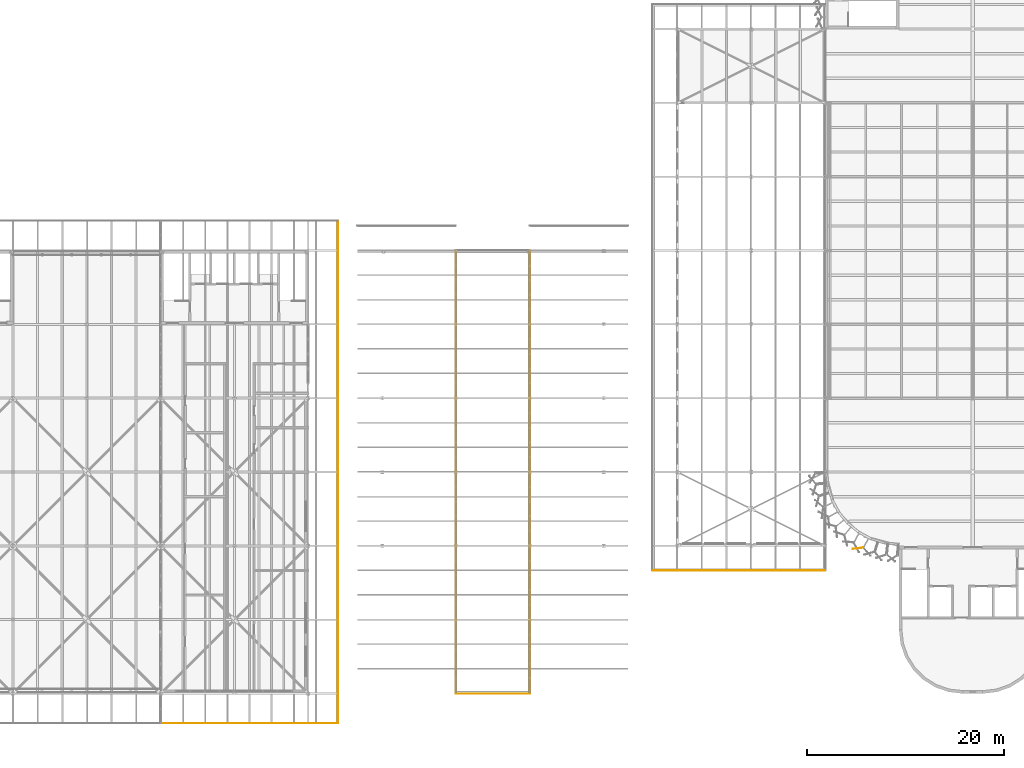
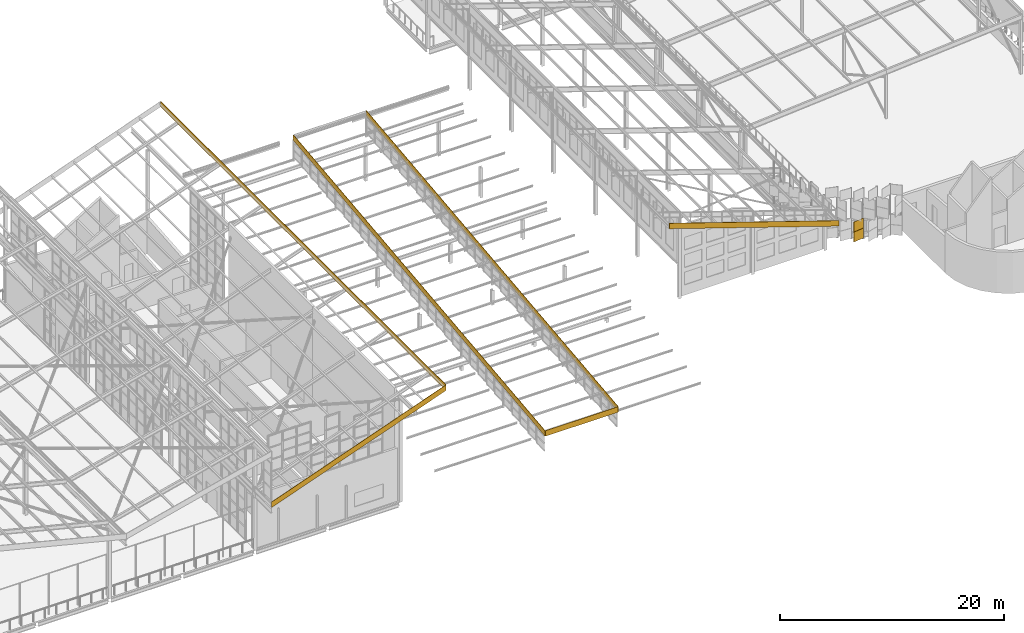
# One storey, part 465 of 483: 8 coverings.
"""IFC4 building model written with IfcOpenShell, lengths in metres."""

from ifc_helpers import new_model, si_unit, direction, frame, origin, origin_2d, place, context, subcontext, project, spatial, polyline, rectangle, outline, extrude, material, layer, layer_set, type_object, element, save


model = new_model("IFC4")

# Units and contexts
model_context = context("Model", 3, precision=1e-05, world=origin(), true_north=direction((0.0, 1.0)))
body_context = subcontext(model_context, "Body", "Model", "MODEL_VIEW")
ifc_project = project(units=[si_unit("LENGTHUNIT", "METRE"), si_unit("AREAUNIT", "SQUARE_METRE"), si_unit("VOLUMEUNIT", "CUBIC_METRE"), si_unit("PLANEANGLEUNIT", "RADIAN"), si_unit("MASSUNIT", "GRAM", prefix="KILO")], contexts=[model_context])

# Site, building, storey
site_placement = place(None, origin())
site = spatial("IfcSite", under=ifc_project, at=site_placement, CompositionType="ELEMENT")
building_placement = place(site_placement, origin())
building = spatial("IfcBuilding", under=site, at=building_placement, Name="Parallax Yard Mobility Hub", CompositionType="ELEMENT")
storey_placement = place(building_placement, frame((0.0, 0.0, 13.199951171875)))
storey = spatial("IfcBuildingStorey", under=building, at=storey_placement, Name="L04", CompositionType="ELEMENT", Elevation=13.199951171875)

# Coverings
ifc_material_1 = material(Name="Aluminium composite fascia panel", Category="aluminium")
ifc_layer_1 = layer(ifc_material_1, 0.0400390625)
ifc_layer_set_1 = layer_set([ifc_layer_1], Name="Roof fascia 600")
covering_type_1 = type_object("IfcCoveringType", Name="Roof fascia 600", PredefinedType="CLADDING", material=ifc_layer_set_1)
covering_1_placement = place(storey_placement, frame((127.5, 4.5, 7.013916015625), z_axis=(0.0, 1.0, 0.0), x_axis=(0.940887737235, 0.0, 0.338718564476)))
element("IfcCovering", 1, at=covering_1_placement, inside=storey, type_object=covering_type_1, Name="Fascia on roof edge V3-P-PL edge 1", PredefinedType="CLADDING", context=body_context, shape_type="SweptSolid", body=[
    extrude(outline(polyline([(0.0, 0.0), (19.13086895243866, 8.881784197001252e-16), (18.927604735768202, 0.5646245259091112), (-0.20326421667045916, 0.5646245259091105), (0.0, 0.0)])), origin(), (0.0, 0.0, -1.0), 0.0400390625),
])
covering_2_placement = place(storey_placement, frame((145.5, 4.5, 13.493896484375), z_axis=(-1.0, 0.0, 0.0), x_axis=(0.0, 1.0, 0.0)))
element("IfcCovering", 2, at=covering_2_placement, inside=storey, type_object=covering_type_1, Name="Fascia on roof edge V3-P-PL edge 2", PredefinedType="CLADDING", context=body_context, shape_type="SweptSolid", body=[
    extrude(outline(polyline([(0.0, 0.0), (51.0, 0.0), (51.0, 0.60009765625), (0.0, 0.60009765625), (0.0, 0.0)])), origin(), (0.0, 0.0, -1.0), 0.0400390625),
])
covering_3_placement = place(storey_placement, frame((157.5, 7.5, 2.476318359375), z_axis=(0.0, 1.0, 0.0), x_axis=(1.0, 0.0, 0.0)))
element("IfcCovering", 3, at=covering_3_placement, inside=storey, type_object=covering_type_1, Name="Fascia on roof edge V5-M-PL edge 1", PredefinedType="CLADDING", context=body_context, shape_type="SweptSolid", body=[
    extrude(outline(polyline([(0.0, 0.0), (7.5, 0.0), (7.5, 0.599853515625), (0.0, 0.599853515625), (0.0, 0.0)])), origin(), (0.0, 0.0, -1.0), 0.0400390625),
])
covering_4_placement = place(storey_placement, frame((165.0, 7.5, 2.476318359375), z_axis=(-1.0, 0.0, 0.0), x_axis=(0.0, 0.993883734674, 0.110431526075)))
element("IfcCovering", 4, at=covering_4_placement, inside=storey, type_object=covering_type_1, Name="Fascia on roof edge V5-M-PL edge 2", PredefinedType="CLADDING", context=body_context, shape_type="SweptSolid", body=[
    extrude(outline(polyline([(0.0, 0.0), (45.27692569068708, 0.0), (45.21068295153525, 0.5961846523664756), (-0.06624273915183056, 0.596184652366475), (0.0, 0.0)])), origin(), (0.0, 0.0, -1.0), 0.0400390625),
])
covering_5_placement = place(storey_placement, frame((157.5, 52.5, 7.476318359375), z_axis=(1.0, 0.0, 0.0), x_axis=(0.0, -0.993883734674, -0.110431526075)))
element("IfcCovering", 5, at=covering_5_placement, inside=storey, type_object=covering_type_1, Name="Fascia on roof edge V5-M-PL edge 4", PredefinedType="CLADDING", context=body_context, shape_type="SweptSolid", body=[
    extrude(outline(polyline([(0.0, 0.0), (45.27692569068708, 0.0), (45.34316842983891, 0.5961846523664747), (0.06624273915183056, 0.596184652366475), (0.0, 0.0)])), origin(), (0.0, 0.0, -1.0), 0.0400390625),
])
covering_6_placement = place(storey_placement, frame((177.5, 20.0, 10.53564453125), z_axis=(0.0, 1.0, 0.0), x_axis=(0.948684621542, 0.0, -0.316223795515)))
element("IfcCovering", 6, at=covering_6_placement, inside=storey, type_object=covering_type_1, Name="Fascia on roof edge V2-PL edge 1", PredefinedType="CLADDING", context=body_context, shape_type="SweptSolid", body=[
    extrude(outline(polyline([(0.0, 0.0), (18.446593949795627, 0.0), (18.63635910833455, 0.5693034179077463), (0.1897651585389199, 0.5693034179077461), (0.0, 0.0)])), origin(), (0.0, 0.0, -1.0), 0.0400390625),
])
ifc_material_2 = material(Name="Aluminium panel, silver anodised", Category="aluminium")
ifc_layer_2 = layer(ifc_material_2, 0.030029296875)
ifc_layer_set_2 = layer_set([ifc_layer_2], Name="Skin panel 35 degree turn, silver anodised")
covering_type_2 = type_object("IfcCoveringType", Name="Skin panel 35 degree turn, silver anodised", PredefinedType="CLADDING", material=ifc_layer_set_2)
for number, where, z_axis, x_axis, name in (
    (7, (198.35400390625, 22.257080078125, 0.02001953125), (0.0, 0.0, 1.0), (-0.992809667009, -0.119703655305, 0.0), "Skin panel 35 bay 30.8 row 1 level L04"),
    (8, (198.35400390625, 22.257080078125, 1.1201171875), (0.0, 0.0, 1.0), (-0.992809667009, -0.119703655305, 0.0), "Skin panel 35 bay 30.8 row 2 level L04"),
):
    element("IfcCovering", number, at=place(storey_placement, frame(where, z_axis=z_axis, x_axis=x_axis)), inside=storey, type_object=covering_type_2, Name=name, ObjectType="SCREEN", PredefinedType="CLADDING", context=body_context, shape_type="SweptSolid", body=[
        extrude(rectangle(XDim=1.080078125, YDim=0.030029296875, at=origin_2d()), origin(), (0.0, 0.0, 1.0), 1.080078125),
    ])

save(model, "model.ifc")
